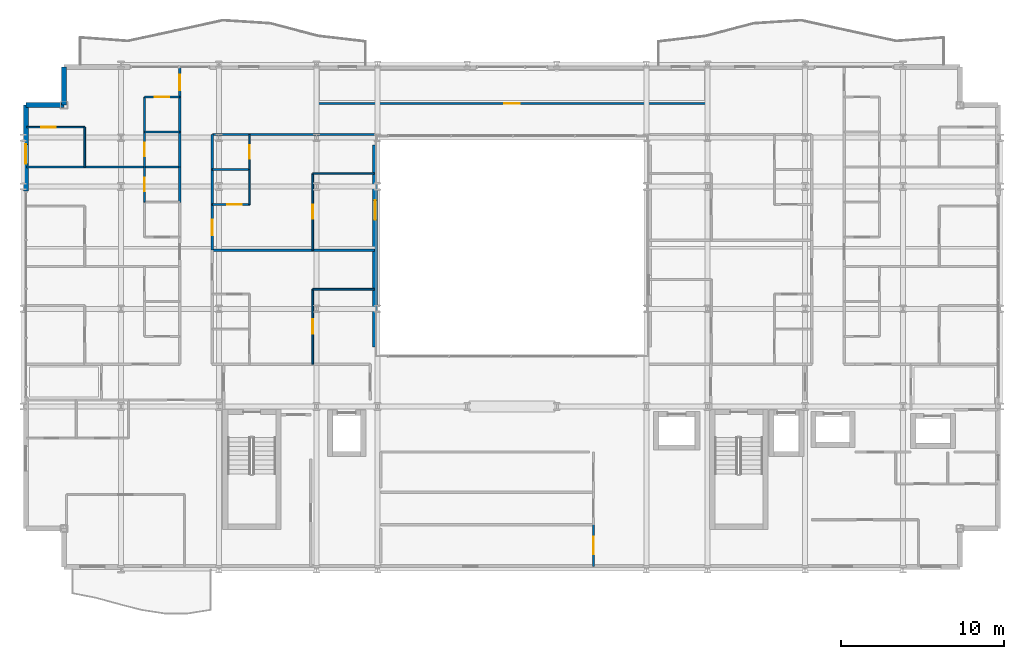
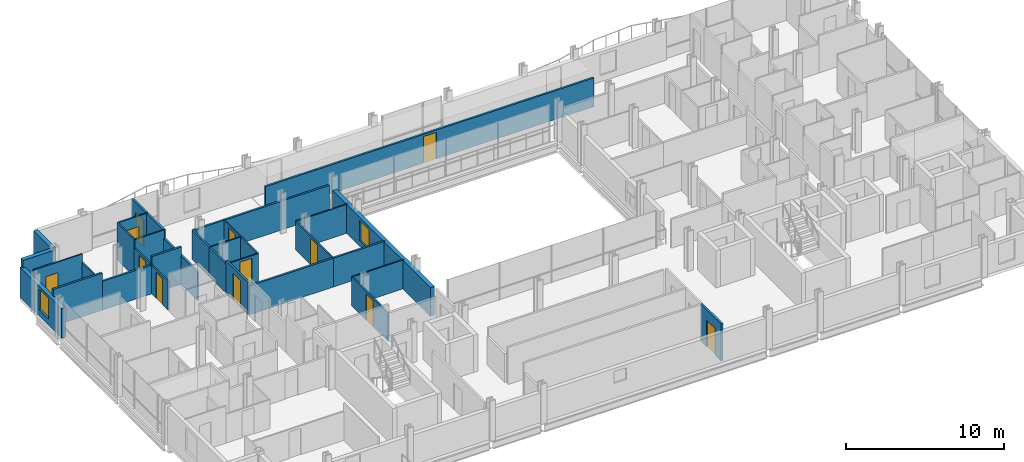
# One storey, part 33 of 40: 35 walls, 12 doors, 2 windows, 14 openings.
"""IFC4 building model written with IfcOpenShell, lengths in metres."""

from ifc_helpers import new_model, si_unit, direction, frame, frame_2d, origin, place, context, subcontext, project, spatial, rectangle, extrude, material, layer, layer_set, type_object, element, fill, save


model = new_model("IFC4")

# Units and contexts
model_context = context("Model", 3, precision=1e-05, world=origin(), true_north=direction((0.0, 1.0)))
body_context = subcontext(model_context, "Body", "Model", "MODEL_VIEW")
ifc_project = project(units=[si_unit("LENGTHUNIT", "METRE"), si_unit("AREAUNIT", "SQUARE_METRE"), si_unit("VOLUMEUNIT", "CUBIC_METRE"), si_unit("PLANEANGLEUNIT", "RADIAN"), si_unit("MASSUNIT", "GRAM", prefix="KILO")], contexts=[model_context])

# Site, building, storey
site_placement = place(None, origin())
site = spatial("IfcSite", under=ifc_project, at=site_placement, CompositionType="ELEMENT")
building_placement = place(site_placement, origin())
building = spatial("IfcBuilding", under=site, at=building_placement, Name="Brevholm Reach", CompositionType="ELEMENT")
storey_placement = place(building_placement, frame((0.0, 0.0, 37.300048828125)))
storey = spatial("IfcBuildingStorey", under=building, at=storey_placement, Name="L09", CompositionType="ELEMENT", Elevation=37.300048828125)

# Walls
ifc_material_1 = material(Name="Concrete C40/50", Category="concrete")
ifc_layer_1 = layer(ifc_material_1, 0.300048828125)
ifc_layer_set_1 = layer_set([ifc_layer_1], Name="Concrete C40/50")
wall_type_1 = type_object("IfcWallType", Name="WAL-EXT-300", PredefinedType="STANDARD", material=ifc_layer_set_1)
for number, where, z_axis, x_axis, name in (
    (1, (2.5, 30.85009765625, 0.0), (0.0, 0.0, 1.0), (0.0, -1.0, 0.0), "L09 Facade Wall WAL-L09-CNW1"),
    (2, (2.5, 28.5, 0.0), (0.0, 0.0, 1.0), (-1.0, 0.0, 0.0), "L09 Facade Wall WAL-L09-CNW2"),
):
    element("IfcWall", number, at=place(storey_placement, frame(where, z_axis=z_axis, x_axis=x_axis)), inside=storey, type_object=wall_type_1, Name=name, PredefinedType="STANDARD", context=body_context, shape_type="SweptSolid", body=[
        extrude(rectangle(XDim=2.35009765625, YDim=0.300048828125, at=frame_2d((1.175048828125, 0.0))), origin(), (0.0, 0.0, 1.0), 2.869873046875),
    ])

# Wall, opening, window
wall_1_placement = place(storey_placement, frame((0.14990234375, 28.5, 0.0), z_axis=(0.0, 0.0, 1.0), x_axis=(0.0, -1.0, 0.0)))
wall_1 = element("IfcWall", 3, at=wall_1_placement, inside=storey, type_object=wall_type_1, Name="L09 Facade Wall WAL-L09-W-N", PredefinedType="STANDARD", context=body_context, shape_type="SweptSolid", body=[
    extrude(rectangle(XDim=5.280029296875, YDim=0.300048828125, at=frame_2d((2.64013671875, 0.0))), origin(), (0.0, 0.0, 1.0), 2.305419921875),
])
opening_1_placement = place(wall_1_placement, frame((2.39990234375, 0.0, 0.486083984375)))
opening_1 = element("IfcOpeningElement", 4, at=opening_1_placement, cuts=wall_1, Name="Opening WN-08", PredefinedType="OPENING", context=body_context, shape_type="SweptSolid", body=[
    extrude(rectangle(XDim=1.199951171875, YDim=1.60009765625, at=frame_2d((0.60009765625, 0.800048828125))), frame((0.0, 0.159912109375, 0.0), z_axis=(0.0, -1.0, 0.0), x_axis=(1.0, 0.0, 0.0)), (0.0, 0.0, 1.0), 0.320068359375),
])
ifc_material_2 = material(Name="Dark Anodised Aluminium and Solar-Control IGU Glass", Category="aluminium")
window_type = type_object("IfcWindowType", Name="WIN-RES-1200", PartitioningType="SINGLE_PANEL", PredefinedType="WINDOW", material=ifc_material_2)
window_1_placement = place(opening_1_placement, origin())
window_1 = element("IfcWindow", 5, at=window_1_placement, inside=storey, type_object=window_type, Name="L09 Window WIN-L09-WN-1", OverallHeight=1.60009765625, OverallWidth=1.199951171875, PartitioningType="SINGLE_PANEL", PredefinedType="WINDOW", context=body_context, shape_type="SweptSolid", body=[
    extrude(rectangle(XDim=1.199951171875, YDim=1.60009765625, at=frame_2d((0.60009765625, 0.800048828125))), frame((0.0, 0.030029296875, 0.0), z_axis=(0.0, -1.0, 0.0), x_axis=(1.0, 0.0, 0.0)), (0.0, 0.0, 1.0), 0.06005859375),
])
fill(opening_1, window_1)

wall_2_placement = place(storey_placement, frame((21.60009765625, 26.050048828125, 0.0), z_axis=(0.0, 0.0, 1.0), x_axis=(0.0, -1.0, 0.0)))
wall_2 = element("IfcWall", 6, at=wall_2_placement, inside=storey, type_object=wall_type_1, Name="L09 Facade Wall WAL-L09-AT-W", PredefinedType="STANDARD", context=body_context, shape_type="SweptSolid", body=[
    extrude(rectangle(XDim=12.400146484375, YDim=0.300048828125, at=frame_2d((6.2001953125, 0.0))), origin(), (0.0, 0.0, 1.0), 2.224853515625),
])
opening_2_placement = place(wall_2_placement, frame((3.39990234375, 0.0, 0.405029296875)))
opening_2 = element("IfcOpeningElement", 7, at=opening_2_placement, cuts=wall_2, Name="Opening WN-08", PredefinedType="OPENING", context=body_context, shape_type="SweptSolid", body=[
    extrude(rectangle(XDim=1.199951171875, YDim=1.60009765625, at=frame_2d((0.60009765625, 0.800048828125))), frame((0.0, 0.159912109375, 0.0), z_axis=(0.0, -1.0, 0.0), x_axis=(1.0, 0.0, 0.0)), (0.0, 0.0, 1.0), 0.320068359375),
])
window_2_placement = place(opening_2_placement, origin())
window_2 = element("IfcWindow", 8, at=window_2_placement, inside=storey, type_object=window_type, Name="L09 Window WIN-L09-AT-W1", OverallHeight=1.60009765625, OverallWidth=1.199951171875, PartitioningType="SINGLE_PANEL", PredefinedType="WINDOW", context=body_context, shape_type="SweptSolid", body=[
    extrude(rectangle(XDim=1.199951171875, YDim=1.60009765625, at=frame_2d((0.60009765625, 0.800048828125))), frame((0.0, 0.030029296875, 0.0), z_axis=(0.0, -1.0, 0.0), x_axis=(1.0, 0.0, 0.0)), (0.0, 0.0, 1.0), 0.06005859375),
])
fill(opening_2, window_2)

# Wall, opening, door
ifc_material_3 = material(Name="Moisture-Resistant Acoustic Gypsum Stud Partition 100 mm", Category="gypsum")
ifc_layer_2 = layer(ifc_material_3, 0.10009765625)
ifc_layer_set_2 = layer_set([ifc_layer_2], Name="Moisture-Resistant Acoustic Gypsum Stud Partition 100 mm")
wall_type_2 = type_object("IfcWallType", Name="WAL-PRT-100", PredefinedType="PARTITIONING", material=ifc_layer_set_2)
wall_3_placement = place(storey_placement, frame((7.43798828125, 22.550048828125, 0.0), z_axis=(0.0, 0.0, 1.0), x_axis=(0.0, 1.0, 0.0)))
wall_3 = element("IfcWall", 9, at=wall_3_placement, inside=storey, type_object=wall_type_2, Name="L09 Internal Partition 096", PredefinedType="PARTITIONING", context=body_context, shape_type="SweptSolid", body=[
    extrude(rectangle(XDim=2.14990234375, YDim=0.10009765625, at=frame_2d((1.074951171875, 0.0))), origin(), (0.0, 0.0, 1.0), 2.224853515625),
])
opening_3_placement = place(wall_3_placement, frame((0.6650390625, 0.0, 0.0)))
opening_3 = element("IfcOpeningElement", 10, at=opening_3_placement, cuts=wall_3, Name="Opening ID-03", PredefinedType="OPENING", context=body_context, shape_type="SweptSolid", body=[
    extrude(rectangle(XDim=0.820068359375, YDim=2.02001953125, at=frame_2d((0.41015625, 1.010009765625))), frame((0.0, 0.06005859375, 0.0), z_axis=(0.0, -1.0, 0.0), x_axis=(1.0, 0.0, 0.0)), (0.0, 0.0, 1.0), 0.1201171875),
])
ifc_material_4 = material(Name="Moisture-Resistant Painted Timber Internal Bathroom Door", Category="wood")
door_type_1 = type_object("IfcDoorType", Name="DOR-BATH-820", OperationType="NOTDEFINED", PredefinedType="DOOR", material=ifc_material_4)
door_1_placement = place(opening_3_placement, origin())
door_1 = element("IfcDoor", 11, at=door_1_placement, inside=storey, type_object=door_type_1, Name="L09 Internal Door 034", OperationType="SINGLE_SWING_LEFT", OverallHeight=2.02001953125, OverallWidth=0.820068359375, PredefinedType="DOOR", context=body_context, shape_type="SweptSolid", body=[
    extrude(rectangle(XDim=0.820068359375, YDim=2.02001953125, at=frame_2d((0.41015625, 1.010009765625))), frame((0.0, 0.02490234375, 0.0), z_axis=(0.0, -1.0, 0.0), x_axis=(1.0, 0.0, 0.0)), (0.0, 0.0, 1.0), 0.050048828125),
])
fill(opening_3, door_1)

# Wall
wall_4_placement = place(storey_placement, frame((7.43798828125, 26.85009765625, 0.0), z_axis=(0.0, 0.0, 1.0), x_axis=(1.0, 0.0, 0.0)))
element("IfcWall", 12, at=wall_4_placement, inside=storey, type_object=wall_type_2, Name="L09 Internal Partition 104", PredefinedType="PARTITIONING", context=body_context, shape_type="SweptSolid", body=[
    extrude(rectangle(XDim=2.157958984375, YDim=0.10009765625, at=frame_2d((1.0791015625, 0.0))), origin(), (0.0, 0.0, 1.0), 2.869873046875),
])

# Wall, opening, door
wall_5_placement = place(storey_placement, frame((7.43798828125, 24.7041015625, 0.0), z_axis=(0.0, 0.0, 1.0), x_axis=(0.0, 1.0, 0.0)))
wall_5 = element("IfcWall", 13, at=wall_5_placement, inside=storey, type_object=wall_type_2, Name="L09 Internal Partition 105", PredefinedType="PARTITIONING", context=body_context, shape_type="SweptSolid", body=[
    extrude(rectangle(XDim=2.14599609375, YDim=0.10009765625, at=frame_2d((1.072998046875, 0.0))), origin(), (0.0, 0.0, 1.0), 2.224853515625),
])
opening_4_placement = place(wall_5_placement, frame((0.6630859375, 0.0, 0.0)))
opening_4 = element("IfcOpeningElement", 14, at=opening_4_placement, cuts=wall_5, Name="Opening ID-03", PredefinedType="OPENING", context=body_context, shape_type="SweptSolid", body=[
    extrude(rectangle(XDim=0.820068359375, YDim=2.02001953125, at=frame_2d((0.41015625, 1.010009765625))), frame((0.0, 0.06005859375, 0.0), z_axis=(0.0, -1.0, 0.0), x_axis=(1.0, 0.0, 0.0)), (0.0, 0.0, 1.0), 0.1201171875),
])
door_2_placement = place(opening_4_placement, origin())
door_2 = element("IfcDoor", 15, at=door_2_placement, inside=storey, type_object=door_type_1, Name="L09 Internal Door 037", OperationType="SINGLE_SWING_RIGHT", OverallHeight=2.02001953125, OverallWidth=0.820068359375, PredefinedType="DOOR", context=body_context, shape_type="SweptSolid", body=[
    extrude(rectangle(XDim=0.820068359375, YDim=2.02001953125, at=frame_2d((0.41015625, 1.010009765625))), frame((0.0, 0.02490234375, 0.0), z_axis=(0.0, -1.0, 0.0), x_axis=(1.0, 0.0, 0.0)), (0.0, 0.0, 1.0), 0.050048828125),
])
fill(opening_4, door_2)

wall_6_placement = place(storey_placement, frame((7.43798828125, 29.0, 0.0), z_axis=(0.0, 0.0, 1.0), x_axis=(1.0, 0.0, 0.0)))
wall_6 = element("IfcWall", 16, at=wall_6_placement, inside=storey, type_object=wall_type_2, Name="L09 Internal Partition 106", PredefinedType="PARTITIONING", context=body_context, shape_type="SweptSolid", body=[
    extrude(rectangle(XDim=2.157958984375, YDim=0.10009765625, at=frame_2d((1.0791015625, 0.0))), origin(), (0.0, 0.0, 1.0), 2.869873046875),
])
opening_5_placement = place(wall_6_placement, frame((0.638916015625, 0.0, 0.0)))
opening_5 = element("IfcOpeningElement", 17, at=opening_5_placement, cuts=wall_6, Name="Opening ID-01", PredefinedType="OPENING", context=body_context, shape_type="SweptSolid", body=[
    extrude(rectangle(XDim=0.8798828125, YDim=2.0400390625, at=frame_2d((0.43994140625, 1.02001953125))), frame((0.0, 0.06005859375, 0.0), z_axis=(0.0, -1.0, 0.0), x_axis=(1.0, 0.0, 0.0)), (0.0, 0.0, 1.0), 0.1201171875),
])
ifc_material_5 = material(Name="Lacquered Ash Solid-Core Acoustic Internal Door", Category="timber")
door_type_2 = type_object("IfcDoorType", Name="DOR-INT-880", OperationType="NOTDEFINED", PredefinedType="DOOR", material=ifc_material_5)
door_3_placement = place(opening_5_placement, origin())
door_3 = element("IfcDoor", 18, at=door_3_placement, inside=storey, type_object=door_type_2, Name="L09 Internal Door 038", OperationType="SINGLE_SWING_LEFT", OverallHeight=2.0400390625, OverallWidth=0.8798828125, PredefinedType="DOOR", context=body_context, shape_type="SweptSolid", body=[
    extrude(rectangle(XDim=0.8798828125, YDim=2.0400390625, at=frame_2d((0.43994140625, 1.02001953125))), frame((0.0, 0.02490234375, 0.0), z_axis=(0.0, -1.0, 0.0), x_axis=(1.0, 0.0, 0.0)), (0.0, 0.0, 1.0), 0.050048828125),
])
fill(opening_5, door_3)

# Walls
wall_7_placement = place(storey_placement, frame((7.43798828125, 26.85400390625, 0.0), z_axis=(0.0, 0.0, 1.0), x_axis=(0.0, 1.0, 0.0)))
element("IfcWall", 19, at=wall_7_placement, inside=storey, type_object=wall_type_2, Name="L09 Internal Partition 107", PredefinedType="PARTITIONING", context=body_context, shape_type="SweptSolid", body=[
    extrude(rectangle(XDim=2.14599609375, YDim=0.10009765625, at=frame_2d((1.072998046875, 0.0))), origin(), (0.0, 0.0, 1.0), 2.869873046875),
])
wall_8_placement = place(storey_placement, frame((3.77197265625, 24.7041015625, 0.0), z_axis=(0.0, 0.0, 1.0), x_axis=(0.0, 1.0, 0.0)))
element("IfcWall", 20, at=wall_8_placement, inside=storey, type_object=wall_type_2, Name="L09 Internal Partition 108", PredefinedType="PARTITIONING", context=body_context, shape_type="SweptSolid", body=[
    extrude(rectangle(XDim=2.44580078125, YDim=0.10009765625, at=frame_2d((1.222900390625, 0.0))), origin(), (0.0, 0.0, 1.0), 2.224853515625),
])

# Wall, opening, door
wall_9_placement = place(storey_placement, frame((0.199951171875, 27.14990234375, 0.0), z_axis=(0.0, 0.0, 1.0), x_axis=(1.0, 0.0, 0.0)))
wall_9 = element("IfcWall", 21, at=wall_9_placement, inside=storey, type_object=wall_type_2, Name="L09 Internal Partition 109", PredefinedType="PARTITIONING", context=body_context, shape_type="SweptSolid", body=[
    extrude(rectangle(XDim=3.572021484375, YDim=0.10009765625, at=frame_2d((1.7861328125, 0.0))), origin(), (0.0, 0.0, 1.0), 2.869873046875),
])
opening_6_placement = place(wall_9_placement, frame((0.906005859375, 0.0, 0.0)))
opening_6 = element("IfcOpeningElement", 22, at=opening_6_placement, cuts=wall_9, Name="Opening ID-01", PredefinedType="OPENING", context=body_context, shape_type="SweptSolid", body=[
    extrude(rectangle(XDim=0.8798828125, YDim=2.0400390625, at=frame_2d((0.43994140625, 1.02001953125))), frame((0.0, 0.06005859375, 0.0), z_axis=(0.0, -1.0, 0.0), x_axis=(1.0, 0.0, 0.0)), (0.0, 0.0, 1.0), 0.1201171875),
])
door_4_placement = place(opening_6_placement, origin())
door_4 = element("IfcDoor", 23, at=door_4_placement, inside=storey, type_object=door_type_2, Name="L09 Internal Door 039", OperationType="SINGLE_SWING_RIGHT", OverallHeight=2.0400390625, OverallWidth=0.8798828125, PredefinedType="DOOR", context=body_context, shape_type="SweptSolid", body=[
    extrude(rectangle(XDim=0.8798828125, YDim=2.0400390625, at=frame_2d((0.43994140625, 1.02001953125))), frame((0.0, 0.02490234375, 0.0), z_axis=(0.0, -1.0, 0.0), x_axis=(1.0, 0.0, 0.0)), (0.0, 0.0, 1.0), 0.050048828125),
])
fill(opening_6, door_4)

# Wall
wall_10_placement = place(storey_placement, frame((17.76904296875, 17.199951171875, 0.0), z_axis=(0.0, 0.0, 1.0), x_axis=(1.0, 0.0, 0.0)))
element("IfcWall", 24, at=wall_10_placement, inside=storey, type_object=wall_type_2, Name="L09 Internal Partition 114", PredefinedType="PARTITIONING", context=body_context, shape_type="SweptSolid", body=[
    extrude(rectangle(XDim=3.781005859375, YDim=0.10009765625, at=frame_2d((1.890625, 0.0))), origin(), (0.0, 0.0, 1.0), 2.224853515625),
])

# Wall, opening, door
wall_11_placement = place(storey_placement, frame((17.76904296875, 12.60400390625, 0.0), z_axis=(0.0, 0.0, 1.0), x_axis=(0.0, 1.0, 0.0)))
wall_11 = element("IfcWall", 25, at=wall_11_placement, inside=storey, type_object=wall_type_2, Name="L09 Internal Partition 115", PredefinedType="PARTITIONING", context=body_context, shape_type="SweptSolid", body=[
    extrude(rectangle(XDim=4.595947265625, YDim=0.10009765625, at=frame_2d((2.2978515625, 0.0))), origin(), (0.0, 0.0, 1.0), 2.224853515625),
])
opening_7_placement = place(wall_11_placement, frame((1.85791015625, 0.0, 0.0)))
opening_7 = element("IfcOpeningElement", 26, at=opening_7_placement, cuts=wall_11, Name="Opening ID-01", PredefinedType="OPENING", context=body_context, shape_type="SweptSolid", body=[
    extrude(rectangle(XDim=0.8798828125, YDim=2.0400390625, at=frame_2d((0.43994140625, 1.02001953125))), frame((0.0, 0.06005859375, 0.0), z_axis=(0.0, -1.0, 0.0), x_axis=(1.0, 0.0, 0.0)), (0.0, 0.0, 1.0), 0.1201171875),
])
door_5_placement = place(opening_7_placement, origin())
door_5 = element("IfcDoor", 27, at=door_5_placement, inside=storey, type_object=door_type_2, Name="L09 Internal Door 042", OperationType="SINGLE_SWING_LEFT", OverallHeight=2.0400390625, OverallWidth=0.8798828125, PredefinedType="DOOR", context=body_context, shape_type="SweptSolid", body=[
    extrude(rectangle(XDim=0.8798828125, YDim=2.0400390625, at=frame_2d((0.43994140625, 1.02001953125))), frame((0.0, 0.02490234375, 0.0), z_axis=(0.0, -1.0, 0.0), x_axis=(1.0, 0.0, 0.0)), (0.0, 0.0, 1.0), 0.050048828125),
])
fill(opening_7, door_5)

# Wall
wall_12_placement = place(storey_placement, frame((11.60400390625, 24.550048828125, 0.0), z_axis=(0.0, 0.0, 1.0), x_axis=(1.0, 0.0, 0.0)))
element("IfcWall", 28, at=wall_12_placement, inside=storey, type_object=wall_type_2, Name="L09 Internal Partition 118", PredefinedType="PARTITIONING", context=body_context, shape_type="SweptSolid", body=[
    extrude(rectangle(XDim=2.284912109375, YDim=0.10009765625, at=frame_2d((1.142578125, 0.0))), origin(), (0.0, 0.0, 1.0), 2.224853515625),
])

# Wall, opening, door
wall_13_placement = place(storey_placement, frame((13.888916015625, 24.550048828125, 0.0), z_axis=(0.0, 0.0, 1.0), x_axis=(0.0, 1.0, 0.0)))
wall_13 = element("IfcWall", 29, at=wall_13_placement, inside=storey, type_object=wall_type_2, Name="L09 Internal Partition 119", PredefinedType="PARTITIONING", context=body_context, shape_type="SweptSolid", body=[
    extrude(rectangle(XDim=2.14599609375, YDim=0.10009765625, at=frame_2d((1.072998046875, 0.0))), origin(), (0.0, 0.0, 1.0), 2.224853515625),
])
opening_8_placement = place(wall_13_placement, frame((0.6630859375, 0.0, 0.0)))
opening_8 = element("IfcOpeningElement", 30, at=opening_8_placement, cuts=wall_13, Name="Opening ID-03", PredefinedType="OPENING", context=body_context, shape_type="SweptSolid", body=[
    extrude(rectangle(XDim=0.820068359375, YDim=2.02001953125, at=frame_2d((0.41015625, 1.010009765625))), frame((0.0, 0.06005859375, 0.0), z_axis=(0.0, -1.0, 0.0), x_axis=(1.0, 0.0, 0.0)), (0.0, 0.0, 1.0), 0.1201171875),
])
door_6_placement = place(opening_8_placement, origin())
door_6 = element("IfcDoor", 31, at=door_6_placement, inside=storey, type_object=door_type_1, Name="L09 Internal Door 043", OperationType="SINGLE_SWING_RIGHT", OverallHeight=2.02001953125, OverallWidth=0.820068359375, PredefinedType="DOOR", context=body_context, shape_type="SweptSolid", body=[
    extrude(rectangle(XDim=0.820068359375, YDim=2.02001953125, at=frame_2d((0.41015625, 1.010009765625))), frame((0.0, 0.02490234375, 0.0), z_axis=(0.0, -1.0, 0.0), x_axis=(1.0, 0.0, 0.0)), (0.0, 0.0, 1.0), 0.050048828125),
])
fill(opening_8, door_6)

wall_14_placement = place(storey_placement, frame((11.60400390625, 22.39990234375, 0.0), z_axis=(0.0, 0.0, 1.0), x_axis=(1.0, 0.0, 0.0)))
wall_14 = element("IfcWall", 32, at=wall_14_placement, inside=storey, type_object=wall_type_2, Name="L09 Internal Partition 120", PredefinedType="PARTITIONING", context=body_context, shape_type="SweptSolid", body=[
    extrude(rectangle(XDim=2.284912109375, YDim=0.10009765625, at=frame_2d((1.142578125, 0.0))), origin(), (0.0, 0.0, 1.0), 2.224853515625),
])
opening_9_placement = place(wall_14_placement, frame((0.922607421875, 0.0, 0.0)))
opening_9 = element("IfcOpeningElement", 33, at=opening_9_placement, cuts=wall_14, Name="Opening ID-01", PredefinedType="OPENING", context=body_context, shape_type="SweptSolid", body=[
    extrude(rectangle(XDim=0.8798828125, YDim=2.0400390625, at=frame_2d((0.43994140625, 1.02001953125))), frame((0.0, 0.06005859375, 0.0), z_axis=(0.0, -1.0, 0.0), x_axis=(1.0, 0.0, 0.0)), (0.0, 0.0, 1.0), 0.1201171875),
])
door_7_placement = place(opening_9_placement, origin())
door_7 = element("IfcDoor", 34, at=door_7_placement, inside=storey, type_object=door_type_2, Name="L09 Internal Door 044", OperationType="SINGLE_SWING_LEFT", OverallHeight=2.0400390625, OverallWidth=0.8798828125, PredefinedType="DOOR", context=body_context, shape_type="SweptSolid", body=[
    extrude(rectangle(XDim=0.8798828125, YDim=2.0400390625, at=frame_2d((0.43994140625, 1.02001953125))), frame((0.0, 0.02490234375, 0.0), z_axis=(0.0, -1.0, 0.0), x_axis=(1.0, 0.0, 0.0)), (0.0, 0.0, 1.0), 0.050048828125),
])
fill(opening_9, door_7)

# Walls
wall_15_placement = place(storey_placement, frame((13.888916015625, 22.39990234375, 0.0), z_axis=(0.0, 0.0, 1.0), x_axis=(0.0, 1.0, 0.0)))
element("IfcWall", 35, at=wall_15_placement, inside=storey, type_object=wall_type_2, Name="L09 Internal Partition 121", PredefinedType="PARTITIONING", context=body_context, shape_type="SweptSolid", body=[
    extrude(rectangle(XDim=2.14599609375, YDim=0.10009765625, at=frame_2d((1.072998046875, 0.0))), origin(), (0.0, 0.0, 1.0), 2.224853515625),
])
wall_16_placement = place(storey_placement, frame((17.76904296875, 24.300048828125, 0.0), z_axis=(0.0, 0.0, 1.0), x_axis=(1.0, 0.0, 0.0)))
element("IfcWall", 36, at=wall_16_placement, inside=storey, type_object=wall_type_2, Name="L09 Internal Partition 122", PredefinedType="PARTITIONING", context=body_context, shape_type="SweptSolid", body=[
    extrude(rectangle(XDim=3.781005859375, YDim=0.10009765625, at=frame_2d((1.890625, 0.0))), origin(), (0.0, 0.0, 1.0), 2.224853515625),
])

# Wall, opening, door
wall_17_placement = place(storey_placement, frame((17.76904296875, 19.60400390625, 0.0), z_axis=(0.0, 0.0, 1.0), x_axis=(0.0, 1.0, 0.0)))
wall_17 = element("IfcWall", 37, at=wall_17_placement, inside=storey, type_object=wall_type_2, Name="L09 Internal Partition 123", PredefinedType="PARTITIONING", context=body_context, shape_type="SweptSolid", body=[
    extrude(rectangle(XDim=4.696044921875, YDim=0.10009765625, at=frame_2d((2.34814453125, 0.0))), origin(), (0.0, 0.0, 1.0), 2.224853515625),
])
opening_10_placement = place(wall_17_placement, frame((1.907958984375, 0.0, 0.0)))
opening_10 = element("IfcOpeningElement", 38, at=opening_10_placement, cuts=wall_17, Name="Opening ID-01", PredefinedType="OPENING", context=body_context, shape_type="SweptSolid", body=[
    extrude(rectangle(XDim=0.8798828125, YDim=2.0400390625, at=frame_2d((0.43994140625, 1.02001953125))), frame((0.0, 0.06005859375, 0.0), z_axis=(0.0, -1.0, 0.0), x_axis=(1.0, 0.0, 0.0)), (0.0, 0.0, 1.0), 0.1201171875),
])
door_8_placement = place(opening_10_placement, origin())
door_8 = element("IfcDoor", 39, at=door_8_placement, inside=storey, type_object=door_type_2, Name="L09 Internal Door 045", OperationType="SINGLE_SWING_RIGHT", OverallHeight=2.0400390625, OverallWidth=0.8798828125, PredefinedType="DOOR", context=body_context, shape_type="SweptSolid", body=[
    extrude(rectangle(XDim=0.8798828125, YDim=2.0400390625, at=frame_2d((0.43994140625, 1.02001953125))), frame((0.0, 0.02490234375, 0.0), z_axis=(0.0, -1.0, 0.0), x_axis=(1.0, 0.0, 0.0)), (0.0, 0.0, 1.0), 0.050048828125),
])
fill(opening_10, door_8)

ifc_material_6 = material(Name="Twin-Stud Acoustic Fire-Rated Gypsum Partition 140 mm", Category="gypsum")
ifc_layer_3 = layer(ifc_material_6, 0.139892578125)
ifc_layer_set_3 = layer_set([ifc_layer_3], Name="Twin-Stud Acoustic Fire-Rated Gypsum Partition 140 mm")
wall_type_3 = type_object("IfcWallType", Name="WAL-PRT-140", PredefinedType="PARTITIONING", material=ifc_layer_set_3)
wall_18_placement = place(storey_placement, frame((35.0, 0.179931640625, 0.0), z_axis=(0.0, 0.0, 1.0), x_axis=(0.0, 1.0, 0.0)))
wall_18 = element("IfcWall", 40, at=wall_18_placement, inside=storey, type_object=wall_type_3, Name="L09 Internal Partition 001", PredefinedType="PARTITIONING", context=body_context, shape_type="SweptSolid", body=[
    extrude(rectangle(XDim=2.568359375, YDim=0.139892578125, at=frame_2d((1.2841796875, 0.0))), origin(), (0.0, 0.0, 1.0), 2.869873046875),
])
opening_11_placement = place(wall_18_placement, frame((0.759033203125, 0.0, 0.0)))
opening_11 = element("IfcOpeningElement", 41, at=opening_11_placement, cuts=wall_18, Name="Opening FD-01", PredefinedType="OPENING", context=body_context, shape_type="SweptSolid", body=[
    extrude(rectangle(XDim=1.050048828125, YDim=2.06005859375, at=frame_2d((0.52490234375, 1.030029296875))), frame((0.0, 0.079833984375, 0.0), z_axis=(0.0, -1.0, 0.0), x_axis=(1.0, 0.0, 0.0)), (0.0, 0.0, 1.0), 0.159912109375),
])
ifc_material_7 = material(Name="Hardwood-Lipped Steel-Core Fire and Smoke Door", Category="steel")
door_type_3 = type_object("IfcDoorType", Name="DOR-INT-FD60S", OperationType="NOTDEFINED", PredefinedType="DOOR", material=ifc_material_7)
door_9_placement = place(opening_11_placement, origin())
door_9 = element("IfcDoor", 42, at=door_9_placement, inside=storey, type_object=door_type_3, Name="L09 Internal Door 001", OperationType="SINGLE_SWING_RIGHT", OverallHeight=2.06005859375, OverallWidth=1.050048828125, PredefinedType="DOOR", context=body_context, shape_type="SweptSolid", body=[
    extrude(rectangle(XDim=1.050048828125, YDim=2.06005859375, at=frame_2d((0.52490234375, 1.030029296875))), frame((0.0, 0.02490234375, 0.0), z_axis=(0.0, -1.0, 0.0), x_axis=(1.0, 0.0, 0.0)), (0.0, 0.0, 1.0), 0.050048828125),
])
fill(opening_11, door_9)

# Walls
wall_19_placement = place(storey_placement, frame((9.60009765625, 22.538818359375, 0.0), z_axis=(0.0, 0.0, 1.0), x_axis=(0.0, 1.0, 0.0)))
element("IfcWall", 43, at=wall_19_placement, inside=storey, type_object=wall_type_3, Name="L09 Internal Partition 033", PredefinedType="PARTITIONING", context=body_context, shape_type="SweptSolid", body=[
    extrude(rectangle(XDim=2.17236328125, YDim=0.139892578125, at=frame_2d((1.086181640625, 0.0))), origin(), (0.0, 0.0, 1.0), 2.224853515625),
])
wall_20_placement = place(storey_placement, frame((9.60009765625, 24.692626953125, 0.0), z_axis=(0.0, 0.0, 1.0), x_axis=(0.0, 1.0, 0.0)))
element("IfcWall", 44, at=wall_20_placement, inside=storey, type_object=wall_type_3, Name="L09 Internal Partition 036", PredefinedType="PARTITIONING", context=body_context, shape_type="SweptSolid", body=[
    extrude(rectangle(XDim=2.168701171875, YDim=0.139892578125, at=frame_2d((1.08447265625, 0.0))), origin(), (0.0, 0.0, 1.0), 2.224853515625),
])
wall_21_placement = place(storey_placement, frame((9.60009765625, 26.8427734375, 0.0), z_axis=(0.0, 0.0, 1.0), x_axis=(0.0, 1.0, 0.0)))
element("IfcWall", 45, at=wall_21_placement, inside=storey, type_object=wall_type_3, Name="L09 Internal Partition 037", PredefinedType="PARTITIONING", context=body_context, shape_type="SweptSolid", body=[
    extrude(rectangle(XDim=2.16845703125, YDim=0.139892578125, at=frame_2d((1.084228515625, 0.0))), origin(), (0.0, 0.0, 1.0), 2.869873046875),
])

# Wall, opening, door
wall_22_placement = place(storey_placement, frame((9.60009765625, 28.99267578125, 0.0), z_axis=(0.0, 0.0, 1.0), x_axis=(0.0, 1.0, 0.0)))
wall_22 = element("IfcWall", 46, at=wall_22_placement, inside=storey, type_object=wall_type_3, Name="L09 Internal Partition 038", PredefinedType="PARTITIONING", context=body_context, shape_type="SweptSolid", body=[
    extrude(rectangle(XDim=1.807373046875, YDim=0.139892578125, at=frame_2d((0.90380859375, 0.0))), origin(), (0.0, 0.0, 1.0), 2.869873046875),
])
opening_12_placement = place(wall_22_placement, frame((0.4287109375, 0.0, 0.0)))
opening_12 = element("IfcOpeningElement", 47, at=opening_12_placement, cuts=wall_22, Name="Opening ID-30", PredefinedType="OPENING", context=body_context, shape_type="SweptSolid", body=[
    extrude(rectangle(XDim=0.949951171875, YDim=2.050048828125, at=frame_2d((0.47509765625, 1.02490234375))), frame((0.0, 0.079833984375, 0.0), z_axis=(0.0, -1.0, 0.0), x_axis=(1.0, 0.0, 0.0)), (0.0, 0.0, 1.0), 0.159912109375),
])
ifc_material_8 = material(Name="European Oak Veneered Solid-Core Fire Entrance Door", Category="timber")
door_type_4 = type_object("IfcDoorType", Name="DOR-FLT-FD30S", OperationType="NOTDEFINED", PredefinedType="DOOR", material=ifc_material_8)
door_10_placement = place(opening_12_placement, origin())
door_10 = element("IfcDoor", 48, at=door_10_placement, inside=storey, type_object=door_type_4, Name="L09 Internal Door 017", OperationType="SINGLE_SWING_RIGHT", OverallHeight=2.050048828125, OverallWidth=0.949951171875, PredefinedType="DOOR", context=body_context, shape_type="SweptSolid", body=[
    extrude(rectangle(XDim=0.949951171875, YDim=2.050048828125, at=frame_2d((0.47509765625, 1.02490234375))), frame((0.0, 0.02490234375, 0.0), z_axis=(0.0, -1.0, 0.0), x_axis=(1.0, 0.0, 0.0)), (0.0, 0.0, 1.0), 0.050048828125),
])
fill(opening_12, door_10)

# Walls
wall_23_placement = place(storey_placement, frame((11.60009765625, 24.538818359375, 0.0), z_axis=(0.0, 0.0, 1.0), x_axis=(0.0, 1.0, 0.0)))
element("IfcWall", 49, at=wall_23_placement, inside=storey, type_object=wall_type_3, Name="L09 Internal Partition 042", PredefinedType="PARTITIONING", context=body_context, shape_type="SweptSolid", body=[
    extrude(rectangle(XDim=2.16845703125, YDim=0.139892578125, at=frame_2d((1.084228515625, 0.0))), origin(), (0.0, 0.0, 1.0), 2.224853515625),
])
wall_24_placement = place(storey_placement, frame((11.60009765625, 22.388671875, 0.0), z_axis=(0.0, 0.0, 1.0), x_axis=(0.0, 1.0, 0.0)))
element("IfcWall", 50, at=wall_24_placement, inside=storey, type_object=wall_type_3, Name="L09 Internal Partition 043", PredefinedType="PARTITIONING", context=body_context, shape_type="SweptSolid", body=[
    extrude(rectangle(XDim=2.168701171875, YDim=0.139892578125, at=frame_2d((1.08447265625, 0.0))), origin(), (0.0, 0.0, 1.0), 2.224853515625),
])

# Wall, opening, door
wall_25_placement = place(storey_placement, frame((11.60009765625, 19.5927734375, 0.0), z_axis=(0.0, 0.0, 1.0), x_axis=(0.0, 1.0, 0.0)))
wall_25 = element("IfcWall", 51, at=wall_25_placement, inside=storey, type_object=wall_type_3, Name="L09 Internal Partition 044", PredefinedType="PARTITIONING", context=body_context, shape_type="SweptSolid", body=[
    extrude(rectangle(XDim=2.814453125, YDim=0.139892578125, at=frame_2d((1.4072265625, 0.0))), origin(), (0.0, 0.0, 1.0), 2.489990234375),
])
opening_13_placement = place(wall_25_placement, frame((0.932373046875, 0.0, 0.0)))
opening_13 = element("IfcOpeningElement", 52, at=opening_13_placement, cuts=wall_25, Name="Opening ID-30", PredefinedType="OPENING", context=body_context, shape_type="SweptSolid", body=[
    extrude(rectangle(XDim=0.949951171875, YDim=2.050048828125, at=frame_2d((0.47509765625, 1.02490234375))), frame((0.0, 0.079833984375, 0.0), z_axis=(0.0, -1.0, 0.0), x_axis=(1.0, 0.0, 0.0)), (0.0, 0.0, 1.0), 0.159912109375),
])
door_11_placement = place(opening_13_placement, origin())
door_11 = element("IfcDoor", 53, at=door_11_placement, inside=storey, type_object=door_type_4, Name="L09 Internal Door 019", OperationType="SINGLE_SWING_RIGHT", OverallHeight=2.050048828125, OverallWidth=0.949951171875, PredefinedType="DOOR", context=body_context, shape_type="SweptSolid", body=[
    extrude(rectangle(XDim=0.949951171875, YDim=2.050048828125, at=frame_2d((0.47509765625, 1.02490234375))), frame((0.0, 0.02490234375, 0.0), z_axis=(0.0, -1.0, 0.0), x_axis=(1.0, 0.0, 0.0)), (0.0, 0.0, 1.0), 0.050048828125),
])
fill(opening_13, door_11)

# Walls
wall_26_placement = place(storey_placement, frame((11.60400390625, 26.699951171875, 0.0), z_axis=(0.0, 0.0, 1.0), x_axis=(1.0, 0.0, 0.0)))
element("IfcWall", 54, at=wall_26_placement, inside=storey, type_object=wall_type_3, Name="L09 Internal Partition 060", PredefinedType="PARTITIONING", context=body_context, shape_type="SweptSolid", body=[
    extrude(rectangle(XDim=2.29638671875, YDim=0.139892578125, at=frame_2d((1.148193359375, 0.0))), origin(), (0.0, 0.0, 1.0), 2.224853515625),
])
wall_27_placement = place(storey_placement, frame((13.881591796875, 26.699951171875, 0.0), z_axis=(0.0, 0.0, 1.0), x_axis=(1.0, 0.0, 0.0)))
element("IfcWall", 55, at=wall_27_placement, inside=storey, type_object=wall_type_3, Name="L09 Internal Partition 061", PredefinedType="PARTITIONING", context=body_context, shape_type="SweptSolid", body=[
    extrude(rectangle(XDim=7.6796875, YDim=0.139892578125, at=frame_2d((3.83984375, 0.0))), origin(), (0.0, 0.0, 1.0), 2.224853515625),
])

# Wall, opening, door
wall_28_placement = place(storey_placement, frame((17.98876953125, 28.60009765625, 0.0), z_axis=(0.0, 0.0, 1.0), x_axis=(1.0, 0.0, 0.0)))
wall_28 = element("IfcWall", 56, at=wall_28_placement, inside=storey, type_object=wall_type_3, Name="L09 Internal Partition 064", PredefinedType="PARTITIONING", context=body_context, shape_type="SweptSolid", body=[
    extrude(rectangle(XDim=24.0224609375, YDim=0.139892578125, at=frame_2d((12.01123046875, 0.0))), origin(), (0.0, 0.0, 1.0), 2.224853515625),
])
opening_14_placement = place(wall_28_placement, frame((11.536376953125, 0.0, 0.0)))
opening_14 = element("IfcOpeningElement", 57, at=opening_14_placement, cuts=wall_28, Name="Opening ID-30", PredefinedType="OPENING", context=body_context, shape_type="SweptSolid", body=[
    extrude(rectangle(XDim=0.949951171875, YDim=2.050048828125, at=frame_2d((0.47509765625, 1.02490234375))), frame((0.0, 0.079833984375, 0.0), z_axis=(0.0, -1.0, 0.0), x_axis=(1.0, 0.0, 0.0)), (0.0, 0.0, 1.0), 0.159912109375),
])
door_12_placement = place(opening_14_placement, origin())
door_12 = element("IfcDoor", 58, at=door_12_placement, inside=storey, type_object=door_type_4, Name="L09 Internal Door 024", OperationType="SINGLE_SWING_LEFT", OverallHeight=2.050048828125, OverallWidth=0.949951171875, PredefinedType="DOOR", context=body_context, shape_type="SweptSolid", body=[
    extrude(rectangle(XDim=0.949951171875, YDim=2.050048828125, at=frame_2d((0.47509765625, 1.02490234375))), frame((0.0, 0.02490234375, 0.0), z_axis=(0.0, -1.0, 0.0), x_axis=(1.0, 0.0, 0.0)), (0.0, 0.0, 1.0), 0.050048828125),
])
fill(opening_14, door_12)

# Walls
wall_29_placement = place(storey_placement, frame((7.43798828125, 24.699951171875, 0.0), z_axis=(0.0, 0.0, 1.0), x_axis=(1.0, 0.0, 0.0)))
element("IfcWall", 59, at=wall_29_placement, inside=storey, type_object=wall_type_3, Name="L09 Internal Partition 097", PredefinedType="PARTITIONING", context=body_context, shape_type="SweptSolid", body=[
    extrude(rectangle(XDim=2.157958984375, YDim=0.139892578125, at=frame_2d((1.0791015625, 0.0))), origin(), (0.0, 0.0, 1.0), 2.869873046875),
])
wall_30_placement = place(storey_placement, frame((0.199951171875, 24.699951171875, 0.0), z_axis=(0.0, 0.0, 1.0), x_axis=(1.0, 0.0, 0.0)))
element("IfcWall", 60, at=wall_30_placement, inside=storey, type_object=wall_type_3, Name="L09 Internal Partition 102", PredefinedType="PARTITIONING", context=body_context, shape_type="SweptSolid", body=[
    extrude(rectangle(XDim=3.583251953125, YDim=0.139892578125, at=frame_2d((1.79150390625, 0.0))), origin(), (0.0, 0.0, 1.0), 2.869873046875),
])
wall_31_placement = place(storey_placement, frame((3.7646484375, 24.699951171875, 0.0), z_axis=(0.0, 0.0, 1.0), x_axis=(1.0, 0.0, 0.0)))
element("IfcWall", 61, at=wall_31_placement, inside=storey, type_object=wall_type_3, Name="L09 Internal Partition 103", PredefinedType="PARTITIONING", context=body_context, shape_type="SweptSolid", body=[
    extrude(rectangle(XDim=3.66943359375, YDim=0.139892578125, at=frame_2d((1.834716796875, 0.0))), origin(), (0.0, 0.0, 1.0), 2.224853515625),
])
wall_32_placement = place(storey_placement, frame((17.7578125, 19.60009765625, 0.0), z_axis=(0.0, 0.0, 1.0), x_axis=(1.0, 0.0, 0.0)))
element("IfcWall", 62, at=wall_32_placement, inside=storey, type_object=wall_type_3, Name="L09 Internal Partition 116", PredefinedType="PARTITIONING", context=body_context, shape_type="SweptSolid", body=[
    extrude(rectangle(XDim=3.792236328125, YDim=0.139892578125, at=frame_2d((1.89599609375, 0.0))), origin(), (0.0, 0.0, 1.0), 2.224853515625),
])
wall_33_placement = place(storey_placement, frame((11.60400390625, 19.60009765625, 0.0), z_axis=(0.0, 0.0, 1.0), x_axis=(1.0, 0.0, 0.0)))
element("IfcWall", 63, at=wall_33_placement, inside=storey, type_object=wall_type_3, Name="L09 Internal Partition 117", PredefinedType="PARTITIONING", context=body_context, shape_type="SweptSolid", body=[
    extrude(rectangle(XDim=6.17236328125, YDim=0.139892578125, at=frame_2d((3.086181640625, 0.0))), origin(), (0.0, 0.0, 1.0), 2.224853515625),
])

save(model, "model.ifc")
